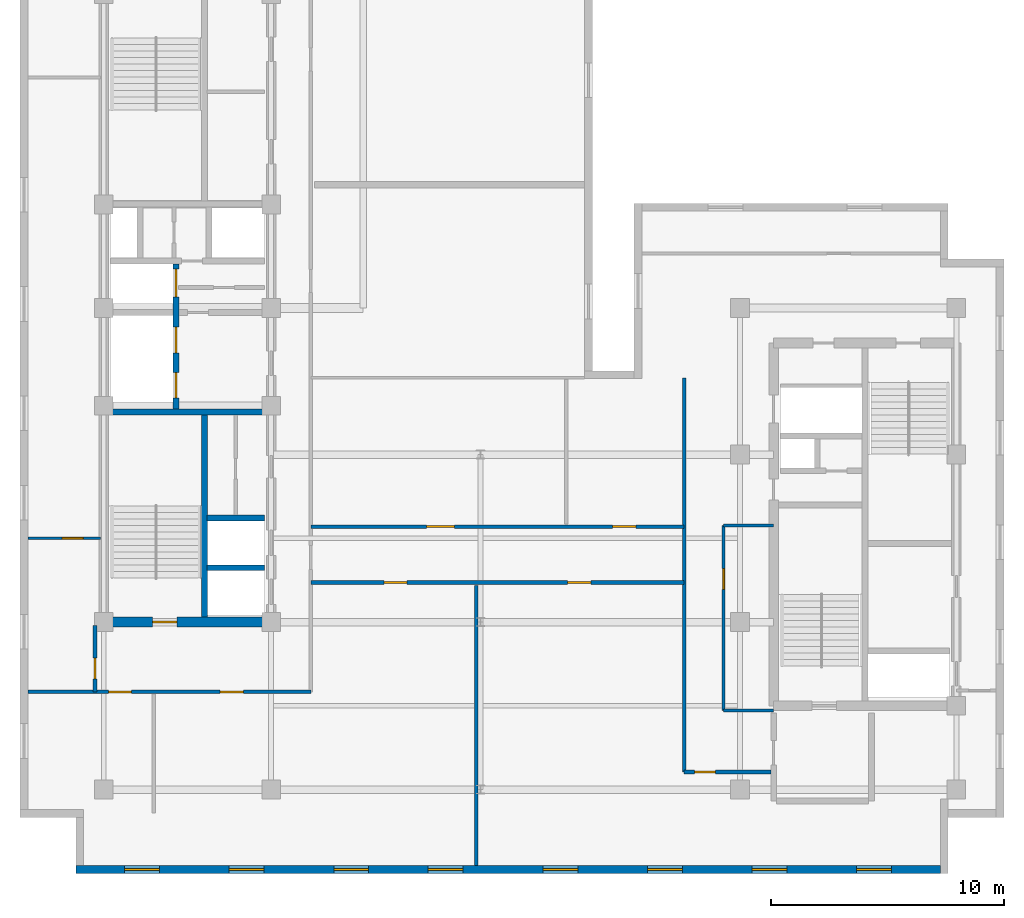
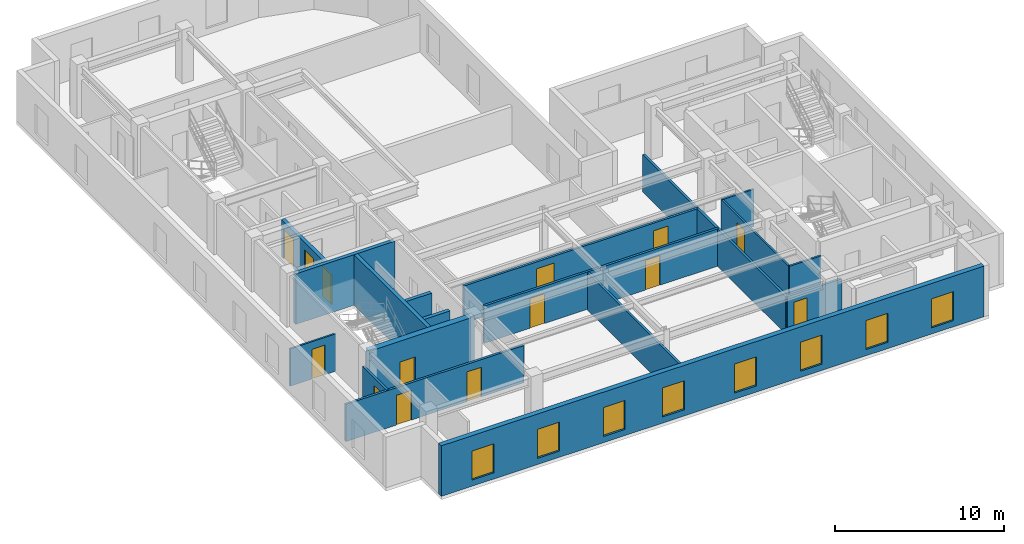
# One storey, part 3 of 9: 18 walls, 14 doors, 8 windows, 22 openings.
"""IFC4 building model written with IfcOpenShell, lengths in metres."""

from ifc_helpers import new_model, entity, si_unit, converted_unit, direction, frame, origin_with_axes, origin_2d_with_axis, place, context, subcontext, project, spatial, polyline, rectangle, outline, extrude, material, layer, layer_set, type_object, element, fill, save


model = new_model("IFC4")

# Units and contexts
model_context = context("Model", 3, precision=1e-05, world=origin_with_axes(), true_north=direction((0.0, 1.0)))
body_context = subcontext(model_context, "Body", "Model", "MODEL_VIEW")
ifc_project = project(units=[si_unit("LENGTHUNIT", "METRE"), si_unit("AREAUNIT", "SQUARE_METRE"), si_unit("VOLUMEUNIT", "CUBIC_METRE"), converted_unit("PLANEANGLEUNIT", "DEGREE", entity("IfcPlaneAngleMeasure", 0.017453292519943295), si_unit("PLANEANGLEUNIT", "RADIAN"), dimensions=[0, 0, 0, 0, 0, 0, 0]), si_unit("MASSUNIT", "GRAM", prefix="KILO"), si_unit("THERMODYNAMICTEMPERATUREUNIT", "KELVIN")], contexts=[model_context])

# Site, building, storey
site_placement = place(None, origin_with_axes())
site = spatial("IfcSite", under=ifc_project, at=site_placement, CompositionType="ELEMENT")
building_placement = place(site_placement, origin_with_axes())
building = spatial("IfcBuilding", under=site, at=building_placement, Name="Varnlund Millrace Tower", CompositionType="ELEMENT")
storey_placement = place(building_placement, frame((0.0, 0.0, 256.8), z_axis=(0.0, 0.0, 1.0), x_axis=(1.0, 0.0, 0.0)))
storey = spatial("IfcBuildingStorey", under=building, at=storey_placement, Name="L63", CompositionType="ELEMENT", Elevation=256.8)

# Wall, opening, door
ifc_material_1 = material(Name="Concrete C60/75", Category="concrete")
ifc_layer_1 = layer(ifc_material_1, 0.42, Name="Concrete C60/75")
ifc_layer_set_1 = layer_set([ifc_layer_1], Name="Concrete C60/75")
wall_type_1 = type_object("IfcWallType", Name="Type-CoreWall-Shear-420-C60", PredefinedType="SHEAR", material=ifc_layer_set_1)
wall_1_placement = place(storey_placement, frame((11.4, 10.8, 0.0), z_axis=(0.0, 0.0, 1.0), x_axis=(1.0, 0.0, 0.0)))
wall_1 = element("IfcWall", 1, at=wall_1_placement, inside=storey, type_object=wall_type_1, Name="Type-CoreWall-Shear-420-C60", PredefinedType="SHEAR", context=body_context, shape_type="SweptSolid", body=[
    extrude(outline(polyline([(0.0, -0.21), (7.2, -0.21), (7.2, 0.21), (0.0, 0.21), (0.0, -0.21)])), origin_with_axes(), (0.0, 0.0, 1.0), 3.66),
])
opening_1_placement = place(wall_1_placement, frame((2.625, 0.0, 0.0), z_axis=(0.0, 0.0, 1.0), x_axis=(1.0, 0.0, 0.0)))
opening_1 = element("IfcOpeningElement", 2, at=opening_1_placement, cuts=wall_1, Name="Opening L63:DR-STA1", PredefinedType="OPENING", context=body_context, shape_type="SweptSolid", body=[
    extrude(rectangle(XDim=1.05, YDim=0.44, at=origin_2d_with_axis()), origin_with_axes(), (0.0, 0.0, 1.0), 2.15),
])
ifc_material_2 = material(Name="Fire-rated hollow steel door", Category="steel")
door_type_1 = type_object("IfcDoorType", Name="Type-FireDoor-Stair-1050X2150", OperationType="NOTDEFINED", PredefinedType="DOOR", material=ifc_material_2)
door_1_placement = place(wall_1_placement, frame((2.625, 0.0, 0.0), z_axis=(0.0, 0.0, 1.0), x_axis=(1.0, 0.0, 0.0)))
door_1 = element("IfcDoor", 3, at=door_1_placement, inside=storey, type_object=door_type_1, Name="Type-FireDoor-Stair-1050X2150", OperationType="SINGLE_SWING_LEFT", OverallHeight=2.15, OverallWidth=1.05, PredefinedType="DOOR", context=body_context, shape_type="SweptSolid", body=[
    extrude(rectangle(XDim=1.05, YDim=0.09, at=origin_2d_with_axis()), origin_with_axes(), (0.0, 0.0, 1.0), 2.15),
])
fill(opening_1, door_1)

# Wall, openings, windows
ifc_material_3 = material(Name="Precast concrete C50/60", Category="concrete")
ifc_layer_2 = layer(ifc_material_3, 0.34, Name="Precast concrete C50/60")
ifc_layer_set_2 = layer_set([ifc_layer_2], Name="Precast concrete C50/60")
wall_type_2 = type_object("IfcWallType", Name="Type-ExtWall-Precast-Upper-340", PredefinedType="SOLIDWALL", material=ifc_layer_set_2)
wall_2_placement = place(storey_placement, frame((47.36, 0.17, 0.0), z_axis=(0.0, 0.0, 1.0), x_axis=(-1.0, 0.0, 0.0)))
wall_2 = element("IfcWall", 4, at=wall_2_placement, inside=storey, type_object=wall_type_2, Name="Type-ExtWall-Precast-Upper-340", PredefinedType="SOLIDWALL", context=body_context, shape_type="SweptSolid", body=[
    extrude(outline(polyline([(0.0, -0.17), (37.16, -0.17), (37.16, 0.17), (0.0, 0.17), (0.0, -0.17)])), origin_with_axes(), (0.0, 0.0, 1.0), 3.66),
])
opening_2_placement = place(wall_2_placement, frame((2.847, 0.0, 0.45), z_axis=(0.0, 0.0, 1.0), x_axis=(1.0, 0.0, 0.0)))
opening_2 = element("IfcOpeningElement", 5, at=opening_2_placement, cuts=wall_2, Name="Opening L63:WN-09", PredefinedType="OPENING", context=body_context, shape_type="SweptSolid", body=[
    extrude(rectangle(XDim=1.5, YDim=0.36, at=origin_2d_with_axis()), origin_with_axes(), (0.0, 0.0, 1.0), 2.1),
])
opening_3_placement = place(wall_2_placement, frame((7.342, 0.0, 0.45), z_axis=(0.0, 0.0, 1.0), x_axis=(1.0, 0.0, 0.0)))
opening_3 = element("IfcOpeningElement", 6, at=opening_3_placement, cuts=wall_2, Name="Opening L63:WN-10", PredefinedType="OPENING", context=body_context, shape_type="SweptSolid", body=[
    extrude(rectangle(XDim=1.5, YDim=0.36, at=origin_2d_with_axis()), origin_with_axes(), (0.0, 0.0, 1.0), 2.1),
])
opening_4_placement = place(wall_2_placement, frame((11.837, 0.0, 0.45), z_axis=(0.0, 0.0, 1.0), x_axis=(1.0, 0.0, 0.0)))
opening_4 = element("IfcOpeningElement", 7, at=opening_4_placement, cuts=wall_2, Name="Opening L63:WN-11", PredefinedType="OPENING", context=body_context, shape_type="SweptSolid", body=[
    extrude(rectangle(XDim=1.5, YDim=0.36, at=origin_2d_with_axis()), origin_with_axes(), (0.0, 0.0, 1.0), 2.1),
])
opening_5_placement = place(wall_2_placement, frame((16.332, 0.0, 0.45), z_axis=(0.0, 0.0, 1.0), x_axis=(1.0, 0.0, 0.0)))
opening_5 = element("IfcOpeningElement", 8, at=opening_5_placement, cuts=wall_2, Name="Opening L63:WN-12", PredefinedType="OPENING", context=body_context, shape_type="SweptSolid", body=[
    extrude(rectangle(XDim=1.5, YDim=0.36, at=origin_2d_with_axis()), origin_with_axes(), (0.0, 0.0, 1.0), 2.1),
])
opening_6_placement = place(wall_2_placement, frame((21.277, 0.0, 0.45), z_axis=(0.0, 0.0, 1.0), x_axis=(1.0, 0.0, 0.0)))
opening_6 = element("IfcOpeningElement", 9, at=opening_6_placement, cuts=wall_2, Name="Opening L63:WN-13", PredefinedType="OPENING", context=body_context, shape_type="SweptSolid", body=[
    extrude(rectangle(XDim=1.5, YDim=0.36, at=origin_2d_with_axis()), origin_with_axes(), (0.0, 0.0, 1.0), 2.1),
])
opening_7_placement = place(wall_2_placement, frame((25.322, 0.0, 0.45), z_axis=(0.0, 0.0, 1.0), x_axis=(1.0, 0.0, 0.0)))
opening_7 = element("IfcOpeningElement", 10, at=opening_7_placement, cuts=wall_2, Name="Opening L63:WN-14", PredefinedType="OPENING", context=body_context, shape_type="SweptSolid", body=[
    extrude(rectangle(XDim=1.5, YDim=0.36, at=origin_2d_with_axis()), origin_with_axes(), (0.0, 0.0, 1.0), 2.1),
])
opening_8_placement = place(wall_2_placement, frame((29.817, 0.0, 0.45), z_axis=(0.0, 0.0, 1.0), x_axis=(1.0, 0.0, 0.0)))
opening_8 = element("IfcOpeningElement", 11, at=opening_8_placement, cuts=wall_2, Name="Opening L63:WN-15", PredefinedType="OPENING", context=body_context, shape_type="SweptSolid", body=[
    extrude(rectangle(XDim=1.5, YDim=0.36, at=origin_2d_with_axis()), origin_with_axes(), (0.0, 0.0, 1.0), 2.1),
])
opening_9_placement = place(wall_2_placement, frame((34.312, 0.0, 0.45), z_axis=(0.0, 0.0, 1.0), x_axis=(1.0, 0.0, 0.0)))
opening_9 = element("IfcOpeningElement", 12, at=opening_9_placement, cuts=wall_2, Name="Opening L63:WN-16", PredefinedType="OPENING", context=body_context, shape_type="SweptSolid", body=[
    extrude(rectangle(XDim=1.5, YDim=0.36, at=origin_2d_with_axis()), origin_with_axes(), (0.0, 0.0, 1.0), 2.1),
])
ifc_material_4 = material(Name="Argon low-e triple glazing in thermally broken bronze frame", Category="glass")
window_type = type_object("IfcWindowType", Name="Type-Window-Punched-1500X2100", PartitioningType="SINGLE_PANEL", PredefinedType="WINDOW", material=ifc_material_4)
window_1_placement = place(wall_2_placement, frame((2.847, 0.0, 0.45), z_axis=(0.0, 0.0, 1.0), x_axis=(1.0, 0.0, 0.0)))
window_1 = element("IfcWindow", 13, at=window_1_placement, inside=storey, type_object=window_type, Name="Type-Window-Punched-1500X2100", OverallHeight=2.1, OverallWidth=1.5, PredefinedType="WINDOW", context=body_context, shape_type="SweptSolid", body=[
    extrude(rectangle(XDim=1.5, YDim=0.09, at=origin_2d_with_axis()), origin_with_axes(), (0.0, 0.0, 1.0), 2.1),
])
fill(opening_2, window_1)
window_2_placement = place(wall_2_placement, frame((7.342, 0.0, 0.45), z_axis=(0.0, 0.0, 1.0), x_axis=(1.0, 0.0, 0.0)))
window_2 = element("IfcWindow", 14, at=window_2_placement, inside=storey, type_object=window_type, Name="Type-Window-Punched-1500X2100", OverallHeight=2.1, OverallWidth=1.5, PredefinedType="WINDOW", context=body_context, shape_type="SweptSolid", body=[
    extrude(rectangle(XDim=1.5, YDim=0.09, at=origin_2d_with_axis()), origin_with_axes(), (0.0, 0.0, 1.0), 2.1),
])
fill(opening_3, window_2)
window_3_placement = place(wall_2_placement, frame((11.837, 0.0, 0.45), z_axis=(0.0, 0.0, 1.0), x_axis=(1.0, 0.0, 0.0)))
window_3 = element("IfcWindow", 15, at=window_3_placement, inside=storey, type_object=window_type, Name="Type-Window-Punched-1500X2100", OverallHeight=2.1, OverallWidth=1.5, PredefinedType="WINDOW", context=body_context, shape_type="SweptSolid", body=[
    extrude(rectangle(XDim=1.5, YDim=0.09, at=origin_2d_with_axis()), origin_with_axes(), (0.0, 0.0, 1.0), 2.1),
])
fill(opening_4, window_3)
window_4_placement = place(wall_2_placement, frame((16.332, 0.0, 0.45), z_axis=(0.0, 0.0, 1.0), x_axis=(1.0, 0.0, 0.0)))
window_4 = element("IfcWindow", 16, at=window_4_placement, inside=storey, type_object=window_type, Name="Type-Window-Punched-1500X2100", OverallHeight=2.1, OverallWidth=1.5, PredefinedType="WINDOW", context=body_context, shape_type="SweptSolid", body=[
    extrude(rectangle(XDim=1.5, YDim=0.09, at=origin_2d_with_axis()), origin_with_axes(), (0.0, 0.0, 1.0), 2.1),
])
fill(opening_5, window_4)
window_5_placement = place(wall_2_placement, frame((21.277, 0.0, 0.45), z_axis=(0.0, 0.0, 1.0), x_axis=(1.0, 0.0, 0.0)))
window_5 = element("IfcWindow", 17, at=window_5_placement, inside=storey, type_object=window_type, Name="Type-Window-Punched-1500X2100", OverallHeight=2.1, OverallWidth=1.5, PredefinedType="WINDOW", context=body_context, shape_type="SweptSolid", body=[
    extrude(rectangle(XDim=1.5, YDim=0.09, at=origin_2d_with_axis()), origin_with_axes(), (0.0, 0.0, 1.0), 2.1),
])
fill(opening_6, window_5)
window_6_placement = place(wall_2_placement, frame((25.322, 0.0, 0.45), z_axis=(0.0, 0.0, 1.0), x_axis=(1.0, 0.0, 0.0)))
window_6 = element("IfcWindow", 18, at=window_6_placement, inside=storey, type_object=window_type, Name="Type-Window-Punched-1500X2100", OverallHeight=2.1, OverallWidth=1.5, PredefinedType="WINDOW", context=body_context, shape_type="SweptSolid", body=[
    extrude(rectangle(XDim=1.5, YDim=0.09, at=origin_2d_with_axis()), origin_with_axes(), (0.0, 0.0, 1.0), 2.1),
])
fill(opening_7, window_6)
window_7_placement = place(wall_2_placement, frame((29.817, 0.0, 0.45), z_axis=(0.0, 0.0, 1.0), x_axis=(1.0, 0.0, 0.0)))
window_7 = element("IfcWindow", 19, at=window_7_placement, inside=storey, type_object=window_type, Name="Type-Window-Punched-1500X2100", OverallHeight=2.1, OverallWidth=1.5, PredefinedType="WINDOW", context=body_context, shape_type="SweptSolid", body=[
    extrude(rectangle(XDim=1.5, YDim=0.09, at=origin_2d_with_axis()), origin_with_axes(), (0.0, 0.0, 1.0), 2.1),
])
fill(opening_8, window_7)
window_8_placement = place(wall_2_placement, frame((34.312, 0.0, 0.45), z_axis=(0.0, 0.0, 1.0), x_axis=(1.0, 0.0, 0.0)))
window_8 = element("IfcWindow", 20, at=window_8_placement, inside=storey, type_object=window_type, Name="Type-Window-Punched-1500X2100", OverallHeight=2.1, OverallWidth=1.5, PredefinedType="WINDOW", context=body_context, shape_type="SweptSolid", body=[
    extrude(rectangle(XDim=1.5, YDim=0.09, at=origin_2d_with_axis()), origin_with_axes(), (0.0, 0.0, 1.0), 2.1),
])
fill(opening_9, window_8)

# Wall, openings, doors
ifc_material_5 = material(Name="Fire-rated gypsum board on cold-formed steel framing", Category="steel")
ifc_layer_3 = layer(ifc_material_5, 0.16, Name="Fire-rated gypsum board on cold-formed steel framing")
ifc_layer_set_3 = layer_set([ifc_layer_3], Name="Fire-rated gypsum board on cold-formed steel framing")
wall_type_3 = type_object("IfcWallType", Name="Type-Partition-Corridor-160", PredefinedType="PARTITIONING", material=ifc_layer_set_3)
wall_3_placement = place(storey_placement, frame((8.135, 7.8, 0.0), z_axis=(0.0, 0.0, 1.0), x_axis=(1.0, 0.0, 0.0)))
wall_3 = element("IfcWall", 21, at=wall_3_placement, inside=storey, type_object=wall_type_3, Name="Type-Partition-Corridor-160", PredefinedType="PARTITIONING", context=body_context, shape_type="SweptSolid", body=[
    extrude(outline(polyline([(0.0, -0.08), (12.165, -0.08), (12.165, 0.08), (0.0, 0.08), (0.0, -0.08)])), origin_with_axes(), (0.0, 0.0, 1.0), 2.7),
])
opening_10_placement = place(wall_3_placement, frame((3.967, 0.0, 0.0), z_axis=(0.0, 0.0, 1.0), x_axis=(1.0, 0.0, 0.0)))
opening_10 = element("IfcOpeningElement", 22, at=opening_10_placement, cuts=wall_3, Name="Opening L63:DR-WAS-01", PredefinedType="OPENING", context=body_context, shape_type="SweptSolid", body=[
    extrude(rectangle(XDim=1.0, YDim=0.18, at=origin_2d_with_axis()), origin_with_axes(), (0.0, 0.0, 1.0), 2.15),
])
opening_11_placement = place(wall_3_placement, frame((8.767, 0.0, 0.0), z_axis=(0.0, 0.0, 1.0), x_axis=(1.0, 0.0, 0.0)))
opening_11 = element("IfcOpeningElement", 23, at=opening_11_placement, cuts=wall_3, Name="Opening L63:DR-WAS-02", PredefinedType="OPENING", context=body_context, shape_type="SweptSolid", body=[
    extrude(rectangle(XDim=1.0, YDim=0.18, at=origin_2d_with_axis()), origin_with_axes(), (0.0, 0.0, 1.0), 2.15),
])
ifc_material_6 = material(Name="Solid-core white oak and bronze frame door")
door_type_2 = type_object("IfcDoorType", Name="Type-IntDoor-Office-1000X2150", OperationType="NOTDEFINED", PredefinedType="DOOR", material=ifc_material_6)
door_2_placement = place(wall_3_placement, frame((3.967, 0.0, 0.0), z_axis=(0.0, 0.0, 1.0), x_axis=(1.0, 0.0, 0.0)))
door_2 = element("IfcDoor", 24, at=door_2_placement, inside=storey, type_object=door_type_2, Name="Type-IntDoor-Office-1000X2150", OperationType="SINGLE_SWING_LEFT", OverallHeight=2.15, OverallWidth=1.0, PredefinedType="DOOR", context=body_context, shape_type="SweptSolid", body=[
    extrude(rectangle(XDim=1.0, YDim=0.09, at=origin_2d_with_axis()), origin_with_axes(), (0.0, 0.0, 1.0), 2.15),
])
fill(opening_10, door_2)
door_3_placement = place(wall_3_placement, frame((8.767, 0.0, 0.0), z_axis=(0.0, 0.0, 1.0), x_axis=(1.0, 0.0, 0.0)))
door_3 = element("IfcDoor", 25, at=door_3_placement, inside=storey, type_object=door_type_2, Name="Type-IntDoor-Office-1000X2150", OperationType="SINGLE_SWING_RIGHT", OverallHeight=2.15, OverallWidth=1.0, PredefinedType="DOOR", context=body_context, shape_type="SweptSolid", body=[
    extrude(rectangle(XDim=1.0, YDim=0.09, at=origin_2d_with_axis()), origin_with_axes(), (0.0, 0.0, 1.0), 2.15),
])
fill(opening_11, door_3)

# Wall, opening, door
wall_4_placement = place(storey_placement, frame((11.02, 7.8, 0.0), z_axis=(0.0, 0.0, 1.0), x_axis=(0.0, 1.0, 0.0)))
wall_4 = element("IfcWall", 26, at=wall_4_placement, inside=storey, type_object=wall_type_3, Name="Type-Partition-Corridor-160", PredefinedType="PARTITIONING", context=body_context, shape_type="SweptSolid", body=[
    extrude(outline(polyline([(0.0, -0.08), (2.85, -0.08), (2.85, 0.08), (0.0, 0.08), (0.0, -0.08)])), origin_with_axes(), (0.0, 0.0, 1.0), 2.7),
])
opening_12_placement = place(wall_4_placement, frame((1.0, 0.0, 0.0), z_axis=(0.0, 0.0, 1.0), x_axis=(1.0, 0.0, 0.0)))
opening_12 = element("IfcOpeningElement", 27, at=opening_12_placement, cuts=wall_4, Name="Opening L63:DR-WU-S1", PredefinedType="OPENING", context=body_context, shape_type="SweptSolid", body=[
    extrude(rectangle(XDim=0.9, YDim=0.18, at=origin_2d_with_axis()), origin_with_axes(), (0.0, 0.0, 1.0), 2.15),
])
ifc_material_7 = material(Name="Painted steel riser and closet door", Category="steel")
door_type_3 = type_object("IfcDoorType", Name="Type-IntDoor-Closet-900X2150", OperationType="NOTDEFINED", PredefinedType="DOOR", material=ifc_material_7)
door_4_placement = place(wall_4_placement, frame((1.0, 0.0, 0.0), z_axis=(0.0, 0.0, 1.0), x_axis=(1.0, 0.0, 0.0)))
door_4 = element("IfcDoor", 28, at=door_4_placement, inside=storey, type_object=door_type_3, Name="Type-IntDoor-Closet-900X2150", OperationType="SINGLE_SWING_LEFT", OverallHeight=2.15, OverallWidth=0.9, PredefinedType="DOOR", context=body_context, shape_type="SweptSolid", body=[
    extrude(rectangle(XDim=0.9, YDim=0.09, at=origin_2d_with_axis()), origin_with_axes(), (0.0, 0.0, 1.0), 2.15),
])
fill(opening_12, door_4)

# Wall, openings, doors
wall_5_placement = place(storey_placement, frame((20.3, 12.5, 0.0), z_axis=(0.0, 0.0, 1.0), x_axis=(1.0, 0.0, 0.0)))
wall_5 = element("IfcWall", 29, at=wall_5_placement, inside=storey, type_object=wall_type_3, Name="Type-Partition-Corridor-160", PredefinedType="PARTITIONING", context=body_context, shape_type="SweptSolid", body=[
    extrude(outline(polyline([(0.0, -0.08), (16.05, -0.08), (16.05, 0.08), (0.0, 0.08), (0.0, -0.08)])), origin_with_axes(), (0.0, 0.0, 1.0), 2.7),
])
opening_13_placement = place(wall_5_placement, frame((3.645, 0.0, 0.0), z_axis=(0.0, 0.0, 1.0), x_axis=(1.0, 0.0, 0.0)))
opening_13 = element("IfcOpeningElement", 30, at=opening_13_placement, cuts=wall_5, Name="Opening L63:DR-KNS-01", PredefinedType="OPENING", context=body_context, shape_type="SweptSolid", body=[
    extrude(rectangle(XDim=1.0, YDim=0.18, at=origin_2d_with_axis()), origin_with_axes(), (0.0, 0.0, 1.0), 2.15),
])
opening_14_placement = place(wall_5_placement, frame((11.54, 0.0, 0.0), z_axis=(0.0, 0.0, 1.0), x_axis=(1.0, 0.0, 0.0)))
opening_14 = element("IfcOpeningElement", 31, at=opening_14_placement, cuts=wall_5, Name="Opening L63:DR-KNS-02", PredefinedType="OPENING", context=body_context, shape_type="SweptSolid", body=[
    extrude(rectangle(XDim=1.0, YDim=0.18, at=origin_2d_with_axis()), origin_with_axes(), (0.0, 0.0, 1.0), 2.15),
])
door_5_placement = place(wall_5_placement, frame((3.645, 0.0, 0.0), z_axis=(0.0, 0.0, 1.0), x_axis=(1.0, 0.0, 0.0)))
door_5 = element("IfcDoor", 32, at=door_5_placement, inside=storey, type_object=door_type_2, Name="Type-IntDoor-Office-1000X2150", OperationType="SINGLE_SWING_LEFT", OverallHeight=2.15, OverallWidth=1.0, PredefinedType="DOOR", context=body_context, shape_type="SweptSolid", body=[
    extrude(rectangle(XDim=1.0, YDim=0.09, at=origin_2d_with_axis()), origin_with_axes(), (0.0, 0.0, 1.0), 2.15),
])
fill(opening_13, door_5)
door_6_placement = place(wall_5_placement, frame((11.54, 0.0, 0.0), z_axis=(0.0, 0.0, 1.0), x_axis=(1.0, 0.0, 0.0)))
door_6 = element("IfcDoor", 33, at=door_6_placement, inside=storey, type_object=door_type_2, Name="Type-IntDoor-Office-1000X2150", OperationType="SINGLE_SWING_RIGHT", OverallHeight=2.15, OverallWidth=1.0, PredefinedType="DOOR", context=body_context, shape_type="SweptSolid", body=[
    extrude(rectangle(XDim=1.0, YDim=0.09, at=origin_2d_with_axis()), origin_with_axes(), (0.0, 0.0, 1.0), 2.15),
])
fill(opening_14, door_6)

wall_6_placement = place(storey_placement, frame((20.3, 14.9, 0.0), z_axis=(0.0, 0.0, 1.0), x_axis=(1.0, 0.0, 0.0)))
wall_6 = element("IfcWall", 34, at=wall_6_placement, inside=storey, type_object=wall_type_3, Name="Type-Partition-Corridor-160", PredefinedType="PARTITIONING", context=body_context, shape_type="SweptSolid", body=[
    extrude(outline(polyline([(0.0, -0.08), (16.05, -0.08), (16.05, 0.08), (0.0, 0.08), (0.0, -0.08)])), origin_with_axes(), (0.0, 0.0, 1.0), 2.7),
])
opening_15_placement = place(wall_6_placement, frame((5.582, 0.0, 0.0), z_axis=(0.0, 0.0, 1.0), x_axis=(1.0, 0.0, 0.0)))
opening_15 = element("IfcOpeningElement", 35, at=opening_15_placement, cuts=wall_6, Name="Opening L63:DR-KN-01", PredefinedType="OPENING", context=body_context, shape_type="SweptSolid", body=[
    extrude(rectangle(XDim=1.2, YDim=0.18, at=origin_2d_with_axis()), origin_with_axes(), (0.0, 0.0, 1.0), 2.2),
])
opening_16_placement = place(wall_6_placement, frame((13.477, 0.0, 0.0), z_axis=(0.0, 0.0, 1.0), x_axis=(1.0, 0.0, 0.0)))
opening_16 = element("IfcOpeningElement", 36, at=opening_16_placement, cuts=wall_6, Name="Opening L63:DR-KN-02", PredefinedType="OPENING", context=body_context, shape_type="SweptSolid", body=[
    extrude(rectangle(XDim=1.0, YDim=0.18, at=origin_2d_with_axis()), origin_with_axes(), (0.0, 0.0, 1.0), 2.15),
])
ifc_material_8 = material(Name="Wide executive white oak acoustic door")
door_type_4 = type_object("IfcDoorType", Name="Type-IntDoor-Exec-1200X2200", OperationType="NOTDEFINED", PredefinedType="DOOR", material=ifc_material_8)
door_7_placement = place(wall_6_placement, frame((5.582, 0.0, 0.0), z_axis=(0.0, 0.0, 1.0), x_axis=(1.0, 0.0, 0.0)))
door_7 = element("IfcDoor", 37, at=door_7_placement, inside=storey, type_object=door_type_4, Name="Type-IntDoor-Exec-1200X2200", OperationType="SINGLE_SWING_LEFT", OverallHeight=2.2, OverallWidth=1.2, PredefinedType="DOOR", context=body_context, shape_type="SweptSolid", body=[
    extrude(rectangle(XDim=1.2, YDim=0.09, at=origin_2d_with_axis()), origin_with_axes(), (0.0, 0.0, 1.0), 2.2),
])
fill(opening_15, door_7)
door_8_placement = place(wall_6_placement, frame((13.477, 0.0, 0.0), z_axis=(0.0, 0.0, 1.0), x_axis=(1.0, 0.0, 0.0)))
door_8 = element("IfcDoor", 38, at=door_8_placement, inside=storey, type_object=door_type_2, Name="Type-IntDoor-Office-1000X2150", OperationType="SINGLE_SWING_RIGHT", OverallHeight=2.15, OverallWidth=1.0, PredefinedType="DOOR", context=body_context, shape_type="SweptSolid", body=[
    extrude(rectangle(XDim=1.0, YDim=0.09, at=origin_2d_with_axis()), origin_with_axes(), (0.0, 0.0, 1.0), 2.15),
])
fill(opening_16, door_8)

# Wall
wall_7_placement = place(storey_placement, frame((36.35, 4.35, 0.0), z_axis=(0.0, 0.0, 1.0), x_axis=(0.0, 1.0, 0.0)))
element("IfcWall", 39, at=wall_7_placement, inside=storey, type_object=wall_type_3, Name="Type-Partition-Corridor-160", PredefinedType="PARTITIONING", context=body_context, shape_type="SweptSolid", body=[
    extrude(outline(polyline([(0.0, -0.08), (16.95, -0.08), (16.95, 0.08), (0.0, 0.08), (0.0, -0.08)])), origin_with_axes(), (0.0, 0.0, 1.0), 2.7),
])

# Wall, opening, door
wall_8_placement = place(storey_placement, frame((36.35, 4.35, 0.0), z_axis=(0.0, 0.0, 1.0), x_axis=(1.0, 0.0, 0.0)))
wall_8 = element("IfcWall", 40, at=wall_8_placement, inside=storey, type_object=wall_type_3, Name="Type-Partition-Corridor-160", PredefinedType="PARTITIONING", context=body_context, shape_type="SweptSolid", body=[
    extrude(outline(polyline([(0.0, -0.08), (3.725, -0.08), (3.725, 0.08), (0.0, 0.08), (0.0, -0.08)])), origin_with_axes(), (0.0, 0.0, 1.0), 2.7),
])
opening_17_placement = place(wall_8_placement, frame((0.9, 0.0, 0.0), z_axis=(0.0, 0.0, 1.0), x_axis=(1.0, 0.0, 0.0)))
opening_17 = element("IfcOpeningElement", 41, at=opening_17_placement, cuts=wall_8, Name="Opening L63:DR-Z4-KNS", PredefinedType="OPENING", context=body_context, shape_type="SweptSolid", body=[
    extrude(rectangle(XDim=0.9, YDim=0.18, at=origin_2d_with_axis()), origin_with_axes(), (0.0, 0.0, 1.0), 2.15),
])
door_9_placement = place(wall_8_placement, frame((0.9, 0.0, 0.0), z_axis=(0.0, 0.0, 1.0), x_axis=(1.0, 0.0, 0.0)))
door_9 = element("IfcDoor", 42, at=door_9_placement, inside=storey, type_object=door_type_3, Name="Type-IntDoor-Closet-900X2150", OperationType="SINGLE_SWING_LEFT", OverallHeight=2.15, OverallWidth=0.9, PredefinedType="DOOR", context=body_context, shape_type="SweptSolid", body=[
    extrude(rectangle(XDim=0.9, YDim=0.09, at=origin_2d_with_axis()), origin_with_axes(), (0.0, 0.0, 1.0), 2.15),
])
fill(opening_17, door_9)

# Wall
ifc_material_9 = material(Name="Acoustic STC-50 gypsum board partition", Category="gypsum")
ifc_layer_4 = layer(ifc_material_9, 0.15, Name="Acoustic STC-50 gypsum board partition")
ifc_layer_set_4 = layer_set([ifc_layer_4], Name="Acoustic STC-50 gypsum board partition")
wall_type_4 = type_object("IfcWallType", Name="Type-Partition-Demising-150", PredefinedType="PARTITIONING", material=ifc_layer_set_4)
wall_9_placement = place(storey_placement, frame((27.41, 0.335, 0.0), z_axis=(0.0, 0.0, 1.0), x_axis=(0.0, 1.0, 0.0)))
element("IfcWall", 43, at=wall_9_placement, inside=storey, type_object=wall_type_4, Name="Type-Partition-Demising-150", PredefinedType="PARTITIONING", context=body_context, shape_type="SweptSolid", body=[
    extrude(outline(polyline([(0.0, -0.075), (12.045, -0.075), (12.045, 0.075), (0.0, 0.075), (0.0, -0.075)])), origin_with_axes(), (0.0, 0.0, 1.0), 2.7),
])

# Wall, opening, door
ifc_material_10 = material(Name="Gypsum board tenant partition", Category="gypsum")
ifc_layer_5 = layer(ifc_material_10, 0.125, Name="Gypsum board tenant partition")
ifc_layer_set_5 = layer_set([ifc_layer_5], Name="Gypsum board tenant partition")
wall_type_5 = type_object("IfcWallType", Name="Type-Partition-Tenant-125", PredefinedType="PARTITIONING", material=ifc_layer_set_5)
wall_10_placement = place(storey_placement, frame((8.135, 14.4, 0.0), z_axis=(0.0, 0.0, 1.0), x_axis=(1.0, 0.0, 0.0)))
wall_10 = element("IfcWall", 44, at=wall_10_placement, inside=storey, type_object=wall_type_5, Name="Type-Partition-Tenant-125", PredefinedType="PARTITIONING", context=body_context, shape_type="SweptSolid", body=[
    extrude(outline(polyline([(0.0, -0.0625), (3.135, -0.0625), (3.135, 0.0625), (0.0, 0.0625), (0.0, -0.0625)])), origin_with_axes(), (0.0, 0.0, 1.0), 2.7),
])
opening_18_placement = place(wall_10_placement, frame((1.925, 0.0, 0.0), z_axis=(0.0, 0.0, 1.0), x_axis=(1.0, 0.0, 0.0)))
opening_18 = element("IfcOpeningElement", 45, at=opening_18_placement, cuts=wall_10, Name="Opening L63:DR-WU-M1", PredefinedType="OPENING", context=body_context, shape_type="SweptSolid", body=[
    extrude(rectangle(XDim=0.9, YDim=0.145, at=origin_2d_with_axis()), origin_with_axes(), (0.0, 0.0, 1.0), 2.15),
])
door_10_placement = place(wall_10_placement, frame((1.925, 0.0, 0.0), z_axis=(0.0, 0.0, 1.0), x_axis=(1.0, 0.0, 0.0)))
door_10 = element("IfcDoor", 46, at=door_10_placement, inside=storey, type_object=door_type_3, Name="Type-IntDoor-Closet-900X2150", OperationType="SINGLE_SWING_LEFT", OverallHeight=2.15, OverallWidth=0.9, PredefinedType="DOOR", context=body_context, shape_type="SweptSolid", body=[
    extrude(rectangle(XDim=0.9, YDim=0.075, at=origin_2d_with_axis()), origin_with_axes(), (0.0, 0.0, 1.0), 2.15),
])
fill(opening_18, door_10)

# Walls
for number, where, z_axis, x_axis, name in (
    (47, (38.05, 7.0, 0.0), (0.0, 0.0, 1.0), (1.0, 0.0, 0.0), "Type-Partition-Tenant-125"),
    (48, (38.05, 14.95, 0.0), (0.0, 0.0, 1.0), (1.0, 0.0, 0.0), "Type-Partition-Tenant-125"),
):
    element("IfcWall", number, at=place(storey_placement, frame(where, z_axis=z_axis, x_axis=x_axis)), inside=storey, type_object=wall_type_5, Name=name, PredefinedType="PARTITIONING", context=body_context, shape_type="SweptSolid", body=[
        extrude(outline(polyline([(0.0, -0.0625), (2.15, -0.0625), (2.15, 0.0625), (0.0, 0.0625), (0.0, -0.0625)])), origin_with_axes(), (0.0, 0.0, 1.0), 2.7),
    ])

# Wall, opening, door
wall_11_placement = place(storey_placement, frame((38.05, 7.0, 0.0), z_axis=(0.0, 0.0, 1.0), x_axis=(0.0, 1.0, 0.0)))
wall_11 = element("IfcWall", 49, at=wall_11_placement, inside=storey, type_object=wall_type_5, Name="Type-Partition-Tenant-125", PredefinedType="PARTITIONING", context=body_context, shape_type="SweptSolid", body=[
    extrude(outline(polyline([(0.0, -0.0625), (7.95, -0.0625), (7.95, 0.0625), (0.0, 0.0625), (0.0, -0.0625)])), origin_with_axes(), (0.0, 0.0, 1.0), 2.7),
])
opening_19_placement = place(wall_11_placement, frame((5.65, 0.0, 0.0), z_axis=(0.0, 0.0, 1.0), x_axis=(1.0, 0.0, 0.0)))
opening_19 = element("IfcOpeningElement", 50, at=opening_19_placement, cuts=wall_11, Name="Opening L63:DR-Z4-KMID", PredefinedType="OPENING", context=body_context, shape_type="SweptSolid", body=[
    extrude(rectangle(XDim=0.9, YDim=0.145, at=origin_2d_with_axis()), origin_with_axes(), (0.0, 0.0, 1.0), 2.15),
])
door_11_placement = place(wall_11_placement, frame((5.65, 0.0, 0.0), z_axis=(0.0, 0.0, 1.0), x_axis=(1.0, 0.0, 0.0)))
door_11 = element("IfcDoor", 51, at=door_11_placement, inside=storey, type_object=door_type_3, Name="Type-IntDoor-Closet-900X2150", OperationType="SINGLE_SWING_LEFT", OverallHeight=2.15, OverallWidth=0.9, PredefinedType="DOOR", context=body_context, shape_type="SweptSolid", body=[
    extrude(rectangle(XDim=0.9, YDim=0.075, at=origin_2d_with_axis()), origin_with_axes(), (0.0, 0.0, 1.0), 2.15),
])
fill(opening_19, door_11)

# Wall, openings, doors
ifc_layer_6 = layer(ifc_material_1, 0.25, Name="Concrete C60/75")
ifc_layer_set_6 = layer_set([ifc_layer_6], Name="Concrete C60/75")
wall_type_6 = type_object("IfcWallType", Name="Type-ShaftWall-Fire-250", PredefinedType="SOLIDWALL", material=ifc_layer_set_6)
wall_12_placement = place(storey_placement, frame((14.5, 19.95, 0.0), z_axis=(0.0, 0.0, 1.0), x_axis=(0.0, 1.0, 0.0)))
wall_12 = element("IfcWall", 52, at=wall_12_placement, inside=storey, type_object=wall_type_6, Name="Type-ShaftWall-Fire-250", PredefinedType="SOLIDWALL", context=body_context, shape_type="SweptSolid", body=[
    extrude(outline(polyline([(0.0, -0.125), (6.25, -0.125), (6.25, 0.125), (0.0, 0.125), (0.0, -0.125)])), origin_with_axes(), (0.0, 0.0, 1.0), 2.7),
])
opening_20_placement = place(wall_12_placement, frame((1.025, 0.0, 0.0), z_axis=(0.0, 0.0, 1.0), x_axis=(1.0, 0.0, 0.0)))
opening_20 = element("IfcOpeningElement", 53, at=opening_20_placement, cuts=wall_12, Name="Opening L63:LD-FSAE1", PredefinedType="OPENING", context=body_context, shape_type="SweptSolid", body=[
    extrude(rectangle(XDim=1.1, YDim=0.27, at=origin_2d_with_axis()), origin_with_axes(), (0.0, 0.0, 1.0), 2.15),
])
opening_21_placement = place(wall_12_placement, frame((2.975, 0.0, 0.0), z_axis=(0.0, 0.0, 1.0), x_axis=(1.0, 0.0, 0.0)))
opening_21 = element("IfcOpeningElement", 54, at=opening_21_placement, cuts=wall_12, Name="Opening L63:LD-FSAE2", PredefinedType="OPENING", context=body_context, shape_type="SweptSolid", body=[
    extrude(rectangle(XDim=1.1, YDim=0.27, at=origin_2d_with_axis()), origin_with_axes(), (0.0, 0.0, 1.0), 2.15),
])
opening_22_placement = place(wall_12_placement, frame((5.425, 0.0, 0.0), z_axis=(0.0, 0.0, 1.0), x_axis=(1.0, 0.0, 0.0)))
opening_22 = element("IfcOpeningElement", 55, at=opening_22_placement, cuts=wall_12, Name="Opening L63:LD-SRV1", PredefinedType="OPENING", context=body_context, shape_type="SweptSolid", body=[
    extrude(rectangle(XDim=1.2, YDim=0.27, at=origin_2d_with_axis()), origin_with_axes(), (0.0, 0.0, 1.0), 2.15),
])
ifc_material_11 = material(Name="Stainless and architectural bronze sliding landing door")
door_type_5 = type_object("IfcDoorType", Name="Type-LiftLandingDoor-1100X2150", OperationType="NOTDEFINED", PredefinedType="DOOR", material=ifc_material_11)
door_12_placement = place(wall_12_placement, frame((1.025, 0.0, 0.0), z_axis=(0.0, 0.0, 1.0), x_axis=(1.0, 0.0, 0.0)))
door_12 = element("IfcDoor", 56, at=door_12_placement, inside=storey, type_object=door_type_5, Name="Type-LiftLandingDoor-1100X2150", OperationType="SLIDING_TO_LEFT", OverallHeight=2.15, OverallWidth=1.1, PredefinedType="DOOR", context=body_context, shape_type="SweptSolid", body=[
    extrude(rectangle(XDim=1.1, YDim=0.09, at=origin_2d_with_axis()), origin_with_axes(), (0.0, 0.0, 1.0), 2.15),
])
fill(opening_20, door_12)
door_13_placement = place(wall_12_placement, frame((2.975, 0.0, 0.0), z_axis=(0.0, 0.0, 1.0), x_axis=(1.0, 0.0, 0.0)))
door_13 = element("IfcDoor", 57, at=door_13_placement, inside=storey, type_object=door_type_5, Name="Type-LiftLandingDoor-1100X2150", OperationType="SLIDING_TO_RIGHT", OverallHeight=2.15, OverallWidth=1.1, PredefinedType="DOOR", context=body_context, shape_type="SweptSolid", body=[
    extrude(rectangle(XDim=1.1, YDim=0.09, at=origin_2d_with_axis()), origin_with_axes(), (0.0, 0.0, 1.0), 2.15),
])
fill(opening_21, door_13)
ifc_material_12 = material(Name="Heavy-duty freight sliding landing door")
door_type_6 = type_object("IfcDoorType", Name="Type-LiftLandingDoor-Service-1200X2150", OperationType="NOTDEFINED", PredefinedType="DOOR", material=ifc_material_12)
door_14_placement = place(wall_12_placement, frame((5.425, 0.0, 0.0), z_axis=(0.0, 0.0, 1.0), x_axis=(1.0, 0.0, 0.0)))
door_14 = element("IfcDoor", 58, at=door_14_placement, inside=storey, type_object=door_type_6, Name="Type-LiftLandingDoor-Service-1200X2150", OperationType="DOUBLE_DOOR_SLIDING", OverallHeight=2.15, OverallWidth=1.2, PredefinedType="DOOR", context=body_context, shape_type="SweptSolid", body=[
    extrude(rectangle(XDim=1.2, YDim=0.09, at=origin_2d_with_axis()), origin_with_axes(), (0.0, 0.0, 1.0), 2.15),
])
fill(opening_22, door_14)

# Walls
for number, where, z_axis, x_axis, name in (
    (59, (15.84, 13.13, 0.0), (0.0, 0.0, 1.0), (1.0, 0.0, 0.0), "Type-ShaftWall-Fire-250"),
    (60, (15.84, 15.27, 0.0), (0.0, 0.0, 1.0), (1.0, 0.0, 0.0), "Type-ShaftWall-Fire-250"),
):
    element("IfcWall", number, at=place(storey_placement, frame(where, z_axis=z_axis, x_axis=x_axis)), inside=storey, type_object=wall_type_6, Name=name, PredefinedType="SOLIDWALL", context=body_context, shape_type="SweptSolid", body=[
        extrude(outline(polyline([(0.0, -0.125), (2.46, -0.125), (2.46, 0.125), (0.0, 0.125), (0.0, -0.125)])), origin_with_axes(), (0.0, 0.0, 1.0), 2.7),
    ])
wall_type_7 = type_object("IfcWallType", Name="Type-StairWall-Shear-250", PredefinedType="SHEAR", material=ifc_layer_set_6)
wall_13_placement = place(storey_placement, frame((15.725, 11.01, 0.0), z_axis=(0.0, 0.0, 1.0), x_axis=(0.0, 1.0, 0.0)))
element("IfcWall", 61, at=wall_13_placement, inside=storey, type_object=wall_type_7, Name="Type-StairWall-Shear-250", PredefinedType="SHEAR", context=body_context, shape_type="SweptSolid", body=[
    extrude(outline(polyline([(0.0, -0.125), (8.69, -0.125), (8.69, 0.125), (0.0, 0.125), (0.0, -0.125)])), origin_with_axes(), (0.0, 0.0, 1.0), 3.66),
])
wall_14_placement = place(storey_placement, frame((11.61, 19.825, 0.0), z_axis=(0.0, 0.0, 1.0), x_axis=(1.0, 0.0, 0.0)))
element("IfcWall", 62, at=wall_14_placement, inside=storey, type_object=wall_type_7, Name="Type-StairWall-Shear-250", PredefinedType="SHEAR", context=body_context, shape_type="SweptSolid", body=[
    extrude(outline(polyline([(0.0, -0.125), (6.78, -0.125), (6.78, 0.125), (0.0, 0.125), (0.0, -0.125)])), origin_with_axes(), (0.0, 0.0, 1.0), 3.66),
])

save(model, "model.ifc")
